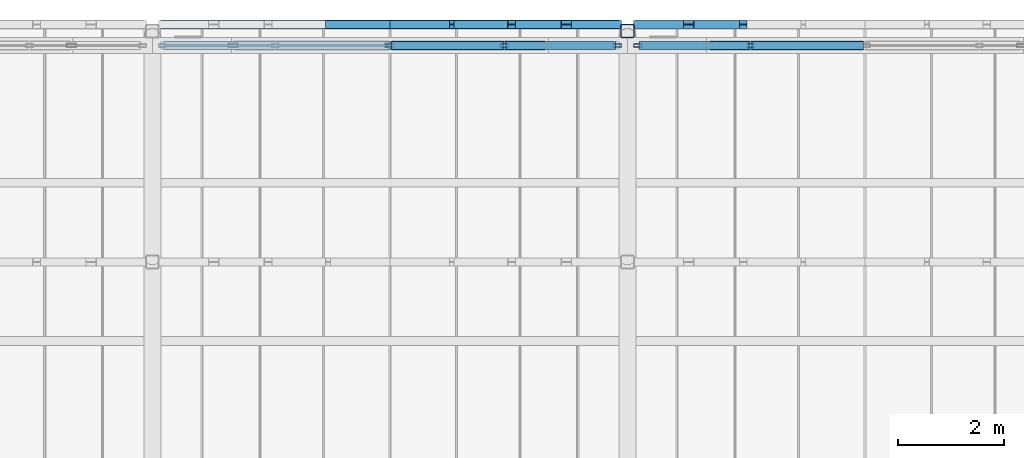
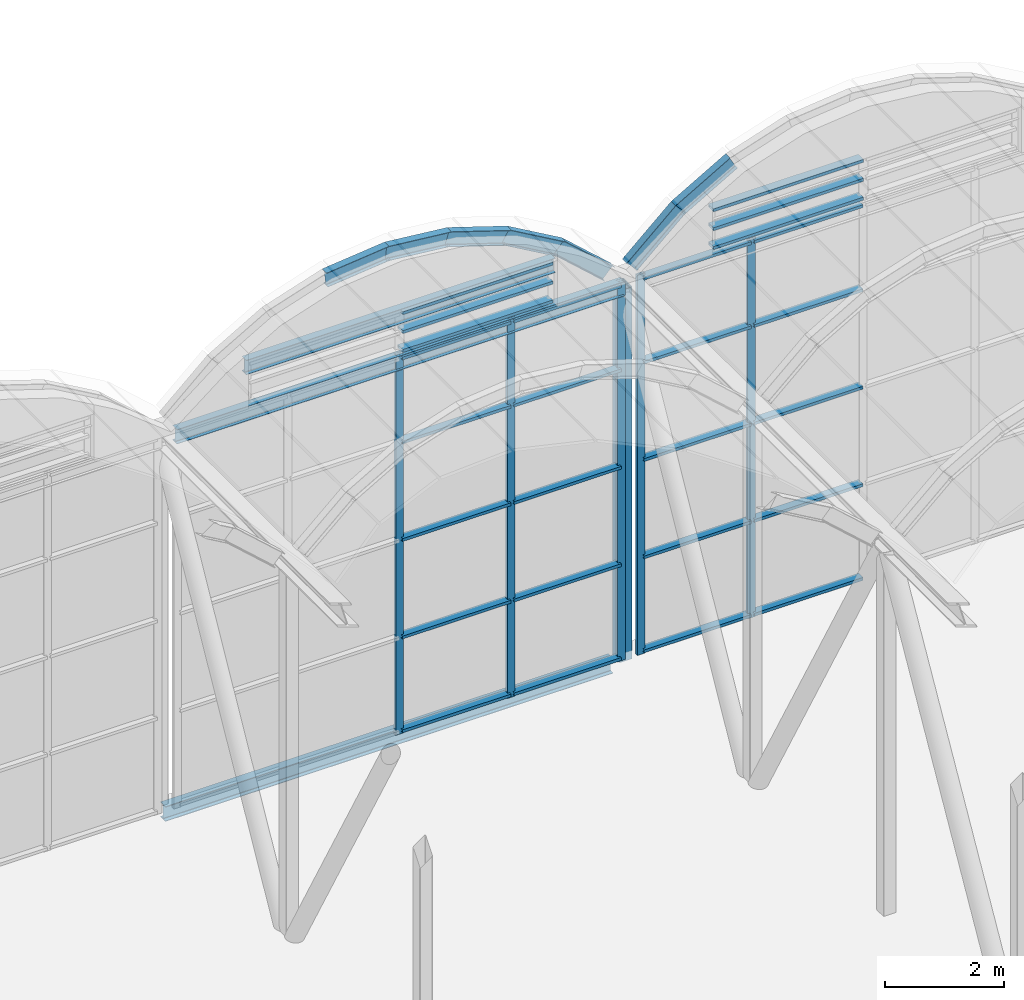
# One storey, part 106 of 144: 39 members, 3 beams, 4 elements without a shape of their own.
"""IFC4 building model written with IfcOpenShell, lengths in metres."""

from ifc_helpers import new_model, si_unit, direction, frame, origin, origin_2d, place, context, subcontext, project, spatial, hollow_rectangle, i_section, extrude, material, layer, layer_set, material_profile, profile_set, type_object, element, aggregate, save


model = new_model("IFC4")

# Units and contexts
model_context = context("Model", 3, precision=1e-05, world=origin(), true_north=direction((0.0, 1.0)))
body_context = subcontext(model_context, "Body", "Model", "MODEL_VIEW")
ifc_project = project(units=[si_unit("LENGTHUNIT", "METRE"), si_unit("AREAUNIT", "SQUARE_METRE"), si_unit("VOLUMEUNIT", "CUBIC_METRE"), si_unit("PLANEANGLEUNIT", "RADIAN"), si_unit("MASSUNIT", "GRAM", prefix="KILO")], contexts=[model_context])

# Site, building, storey
site_placement = place(None, origin())
site = spatial("IfcSite", under=ifc_project, at=site_placement, CompositionType="ELEMENT")
building_placement = place(site_placement, origin())
building = spatial("IfcBuilding", under=site, at=building_placement, Name="Shorebreak Coast Museum", CompositionType="ELEMENT")
storey_placement = place(building_placement, frame((0.0, 0.0, 36.0)))
storey = spatial("IfcBuildingStorey", under=building, at=storey_placement, Name="L06", CompositionType="ELEMENT", Elevation=36.0)

# Curtain wall, members
ifc_material_1 = material(Name="Aluminium", Category="aluminium")
ifc_layer_1 = layer(ifc_material_1, 0.14990234375)
ifc_layer_set_1 = layer_set([ifc_layer_1], Name="Aluminium")
curtain_wall_type_1 = type_object("IfcCurtainWallType", Name="Barrel end glazing", PredefinedType="NOTDEFINED", material=ifc_layer_set_1)
curtain_wall_1_placement = place(storey_placement, origin())
curtain_wall_1 = element("IfcCurtainWall", 1, at=curtain_wall_1_placement, inside=storey, type_object=curtain_wall_type_1, Name="Barrel end glazing L06 3", PredefinedType="NOTDEFINED")
ifc_material_2 = material(Name="Aluminium", Category="aluminium")
ifc_material_profile_1 = material_profile(ifc_material_2, hollow_rectangle(XDim=0.06005859375, YDim=0.14990234375, WallThickness=0.00390625, at=origin_2d()), Name="AL 150x60 RHS")
ifc_profile_set_1 = profile_set([ifc_material_profile_1], Name="Aluminium")
member_type_1 = type_object("IfcMemberType", Name="Barrel mullion 60 x 150", PredefinedType="MULLION", material=ifc_profile_set_1)
member_1_placement = place(storey_placement, frame((76.5, 134.60009765625, 0.0), z_axis=(0.0, 0.0, 1.0), x_axis=(0.0, 1.0, 0.0)))
member_1 = element("IfcMember", 2, at=member_1_placement, type_object=member_type_1, Name="CW7 mullion 3", PredefinedType="MULLION", context=body_context, shape_type="SweptSolid", body=[
    extrude(hollow_rectangle(XDim=0.06005859375, YDim=0.14990234375, WallThickness=0.00390625, at=origin_2d()), origin(), (0.0, 0.0, 1.0), 7.800048828125),
])
member_2_placement = place(storey_placement, frame((78.6689453125, 134.60009765625, 0.0), z_axis=(0.0, 0.0, 1.0), x_axis=(0.0, 1.0, 0.0)))
member_2 = element("IfcMember", 3, at=member_2_placement, type_object=member_type_1, Name="CW7 mullion 4", PredefinedType="MULLION", context=body_context, shape_type="SweptSolid", body=[
    extrude(hollow_rectangle(XDim=0.06005859375, YDim=0.14990234375, WallThickness=0.00390625, at=origin_2d()), origin(), (0.0, 0.0, 1.0), 7.800048828125),
])
member_3_placement = place(storey_placement, frame((80.80810546875, 134.60009765625, 0.0), z_axis=(0.0, 0.0, 1.0), x_axis=(0.0, 1.0, 0.0)))
member_3 = element("IfcMember", 4, at=member_3_placement, type_object=member_type_1, Name="CW7 mullion 5", PredefinedType="MULLION", context=body_context, shape_type="SweptSolid", body=[
    extrude(hollow_rectangle(XDim=0.06005859375, YDim=0.14990234375, WallThickness=0.00390625, at=origin_2d()), origin(), (0.0, 0.0, 1.0), 7.800048828125),
])

curtain_wall_2_placement = place(storey_placement, origin())
curtain_wall_2 = element("IfcCurtainWall", 5, at=curtain_wall_2_placement, inside=storey, type_object=curtain_wall_type_1, Name="Barrel end glazing L06 4", PredefinedType="NOTDEFINED")
member_4_placement = place(storey_placement, frame((81.19189453125, 134.60009765625, 0.0), z_axis=(0.0, 0.0, 1.0), x_axis=(0.0, 1.0, 0.0)))
member_4 = element("IfcMember", 6, at=member_4_placement, type_object=member_type_1, Name="CW7 mullion 1", PredefinedType="MULLION", context=body_context, shape_type="SweptSolid", body=[
    extrude(hollow_rectangle(XDim=0.06005859375, YDim=0.14990234375, WallThickness=0.00390625, at=origin_2d()), origin(), (0.0, 0.0, 1.0), 7.800048828125),
])
member_5_placement = place(storey_placement, frame((83.3310546875, 134.60009765625, 0.0), z_axis=(0.0, 0.0, 1.0), x_axis=(0.0, 1.0, 0.0)))
member_5 = element("IfcMember", 7, at=member_5_placement, type_object=member_type_1, Name="CW7 mullion 2", PredefinedType="MULLION", context=body_context, shape_type="SweptSolid", body=[
    extrude(hollow_rectangle(XDim=0.06005859375, YDim=0.14990234375, WallThickness=0.00390625, at=origin_2d()), origin(), (0.0, 0.0, 1.0), 7.800048828125),
])

# Member
ifc_material_3 = material(Name="Aluminium", Category="aluminium")
ifc_material_profile_2 = material_profile(ifc_material_3, hollow_rectangle(XDim=0.14990234375, YDim=0.06005859375, WallThickness=0.00390625, at=origin_2d()), Name="AL 60x150 RHS")
ifc_profile_set_2 = profile_set([ifc_material_profile_2], Name="Aluminium")
member_type_2 = type_object("IfcMemberType", Name="Barrel transom 150 x 60", PredefinedType="USERDEFINED", material=ifc_profile_set_2)
member_6_placement = place(storey_placement, frame((76.530029296875, 134.60009765625, 0.074951171875), z_axis=(1.0, 0.0, 0.0), x_axis=(0.0, 1.0, 0.0)))
member_6 = element("IfcMember", 8, at=member_6_placement, type_object=member_type_2, Name="CW7 transom 3.1", ObjectType="TRANSOM", PredefinedType="USERDEFINED", context=body_context, shape_type="SweptSolid", body=[
    extrude(hollow_rectangle(XDim=0.14990234375, YDim=0.06005859375, WallThickness=0.00390625, at=origin_2d()), origin(), (0.0, 0.0, 1.0), 2.10888671875),
])

member_7_placement = place(storey_placement, frame((76.530029296875, 134.60009765625, 2.0), z_axis=(1.0, 0.0, 0.0), x_axis=(0.0, 1.0, 0.0)))
member_7 = element("IfcMember", 9, at=member_7_placement, type_object=member_type_2, Name="CW7 transom 3.2", ObjectType="TRANSOM", PredefinedType="USERDEFINED", context=body_context, shape_type="SweptSolid", body=[
    extrude(hollow_rectangle(XDim=0.14990234375, YDim=0.06005859375, WallThickness=0.00390625, at=origin_2d()), origin(), (0.0, 0.0, 1.0), 2.10888671875),
])

member_8_placement = place(storey_placement, frame((76.530029296875, 134.60009765625, 4.0), z_axis=(1.0, 0.0, 0.0), x_axis=(0.0, 1.0, 0.0)))
member_8 = element("IfcMember", 10, at=member_8_placement, type_object=member_type_2, Name="CW7 transom 3.3", ObjectType="TRANSOM", PredefinedType="USERDEFINED", context=body_context, shape_type="SweptSolid", body=[
    extrude(hollow_rectangle(XDim=0.14990234375, YDim=0.06005859375, WallThickness=0.00390625, at=origin_2d()), origin(), (0.0, 0.0, 1.0), 2.10888671875),
])

member_9_placement = place(storey_placement, frame((76.530029296875, 134.60009765625, 6.0), z_axis=(1.0, 0.0, 0.0), x_axis=(0.0, 1.0, 0.0)))
member_9 = element("IfcMember", 11, at=member_9_placement, type_object=member_type_2, Name="CW7 transom 3.4", ObjectType="TRANSOM", PredefinedType="USERDEFINED", context=body_context, shape_type="SweptSolid", body=[
    extrude(hollow_rectangle(XDim=0.14990234375, YDim=0.06005859375, WallThickness=0.00390625, at=origin_2d()), origin(), (0.0, 0.0, 1.0), 2.10888671875),
])

member_10_placement = place(storey_placement, frame((76.530029296875, 134.60009765625, 7.72509765625), z_axis=(1.0, 0.0, 0.0), x_axis=(0.0, 1.0, 0.0)))
member_10 = element("IfcMember", 12, at=member_10_placement, type_object=member_type_2, Name="CW7 transom 3.5", ObjectType="TRANSOM", PredefinedType="USERDEFINED", context=body_context, shape_type="SweptSolid", body=[
    extrude(hollow_rectangle(XDim=0.14990234375, YDim=0.06005859375, WallThickness=0.00390625, at=origin_2d()), origin(), (0.0, 0.0, 1.0), 2.10888671875),
])

member_11_placement = place(storey_placement, frame((78.698974609375, 134.60009765625, 0.074951171875), z_axis=(1.0, 0.0, 0.0), x_axis=(0.0, 1.0, 0.0)))
member_11 = element("IfcMember", 13, at=member_11_placement, type_object=member_type_2, Name="CW7 transom 4.1", ObjectType="TRANSOM", PredefinedType="USERDEFINED", context=body_context, shape_type="SweptSolid", body=[
    extrude(hollow_rectangle(XDim=0.14990234375, YDim=0.06005859375, WallThickness=0.00390625, at=origin_2d()), origin(), (0.0, 0.0, 1.0), 2.0791015625),
])

member_12_placement = place(storey_placement, frame((78.698974609375, 134.60009765625, 2.0), z_axis=(1.0, 0.0, 0.0), x_axis=(0.0, 1.0, 0.0)))
member_12 = element("IfcMember", 14, at=member_12_placement, type_object=member_type_2, Name="CW7 transom 4.2", ObjectType="TRANSOM", PredefinedType="USERDEFINED", context=body_context, shape_type="SweptSolid", body=[
    extrude(hollow_rectangle(XDim=0.14990234375, YDim=0.06005859375, WallThickness=0.00390625, at=origin_2d()), origin(), (0.0, 0.0, 1.0), 2.0791015625),
])

member_13_placement = place(storey_placement, frame((78.698974609375, 134.60009765625, 4.0), z_axis=(1.0, 0.0, 0.0), x_axis=(0.0, 1.0, 0.0)))
member_13 = element("IfcMember", 15, at=member_13_placement, type_object=member_type_2, Name="CW7 transom 4.3", ObjectType="TRANSOM", PredefinedType="USERDEFINED", context=body_context, shape_type="SweptSolid", body=[
    extrude(hollow_rectangle(XDim=0.14990234375, YDim=0.06005859375, WallThickness=0.00390625, at=origin_2d()), origin(), (0.0, 0.0, 1.0), 2.0791015625),
])

member_14_placement = place(storey_placement, frame((78.698974609375, 134.60009765625, 6.0), z_axis=(1.0, 0.0, 0.0), x_axis=(0.0, 1.0, 0.0)))
member_14 = element("IfcMember", 16, at=member_14_placement, type_object=member_type_2, Name="CW7 transom 4.4", ObjectType="TRANSOM", PredefinedType="USERDEFINED", context=body_context, shape_type="SweptSolid", body=[
    extrude(hollow_rectangle(XDim=0.14990234375, YDim=0.06005859375, WallThickness=0.00390625, at=origin_2d()), origin(), (0.0, 0.0, 1.0), 2.0791015625),
])

member_15_placement = place(storey_placement, frame((78.698974609375, 134.60009765625, 7.72509765625), z_axis=(1.0, 0.0, 0.0), x_axis=(0.0, 1.0, 0.0)))
member_15 = element("IfcMember", 17, at=member_15_placement, type_object=member_type_2, Name="CW7 transom 4.5", ObjectType="TRANSOM", PredefinedType="USERDEFINED", context=body_context, shape_type="SweptSolid", body=[
    extrude(hollow_rectangle(XDim=0.14990234375, YDim=0.06005859375, WallThickness=0.00390625, at=origin_2d()), origin(), (0.0, 0.0, 1.0), 2.0791015625),
])

aggregate(curtain_wall_1, [member_1, member_2, member_3, member_6, member_7, member_8, member_9, member_10, member_11, member_12, member_13, member_14, member_15])

member_16_placement = place(storey_placement, frame((81.221923828125, 134.60009765625, 0.074951171875), z_axis=(1.0, 0.0, 0.0), x_axis=(0.0, 1.0, 0.0)))
member_16 = element("IfcMember", 18, at=member_16_placement, type_object=member_type_2, Name="CW7 transom 1.1", ObjectType="TRANSOM", PredefinedType="USERDEFINED", context=body_context, shape_type="SweptSolid", body=[
    extrude(hollow_rectangle(XDim=0.14990234375, YDim=0.06005859375, WallThickness=0.00390625, at=origin_2d()), origin(), (0.0, 0.0, 1.0), 2.0791015625),
])

member_17_placement = place(storey_placement, frame((81.221923828125, 134.60009765625, 2.0), z_axis=(1.0, 0.0, 0.0), x_axis=(0.0, 1.0, 0.0)))
member_17 = element("IfcMember", 19, at=member_17_placement, type_object=member_type_2, Name="CW7 transom 1.2", ObjectType="TRANSOM", PredefinedType="USERDEFINED", context=body_context, shape_type="SweptSolid", body=[
    extrude(hollow_rectangle(XDim=0.14990234375, YDim=0.06005859375, WallThickness=0.00390625, at=origin_2d()), origin(), (0.0, 0.0, 1.0), 2.0791015625),
])

member_18_placement = place(storey_placement, frame((81.221923828125, 134.60009765625, 4.0), z_axis=(1.0, 0.0, 0.0), x_axis=(0.0, 1.0, 0.0)))
member_18 = element("IfcMember", 20, at=member_18_placement, type_object=member_type_2, Name="CW7 transom 1.3", ObjectType="TRANSOM", PredefinedType="USERDEFINED", context=body_context, shape_type="SweptSolid", body=[
    extrude(hollow_rectangle(XDim=0.14990234375, YDim=0.06005859375, WallThickness=0.00390625, at=origin_2d()), origin(), (0.0, 0.0, 1.0), 2.0791015625),
])

member_19_placement = place(storey_placement, frame((81.221923828125, 134.60009765625, 6.0), z_axis=(1.0, 0.0, 0.0), x_axis=(0.0, 1.0, 0.0)))
member_19 = element("IfcMember", 21, at=member_19_placement, type_object=member_type_2, Name="CW7 transom 1.4", ObjectType="TRANSOM", PredefinedType="USERDEFINED", context=body_context, shape_type="SweptSolid", body=[
    extrude(hollow_rectangle(XDim=0.14990234375, YDim=0.06005859375, WallThickness=0.00390625, at=origin_2d()), origin(), (0.0, 0.0, 1.0), 2.0791015625),
])

member_20_placement = place(storey_placement, frame((81.221923828125, 134.60009765625, 7.72509765625), z_axis=(1.0, 0.0, 0.0), x_axis=(0.0, 1.0, 0.0)))
member_20 = element("IfcMember", 22, at=member_20_placement, type_object=member_type_2, Name="CW7 transom 1.5", ObjectType="TRANSOM", PredefinedType="USERDEFINED", context=body_context, shape_type="SweptSolid", body=[
    extrude(hollow_rectangle(XDim=0.14990234375, YDim=0.06005859375, WallThickness=0.00390625, at=origin_2d()), origin(), (0.0, 0.0, 1.0), 2.0791015625),
])

member_21_placement = place(storey_placement, frame((83.361083984375, 134.60009765625, 0.074951171875), z_axis=(1.0, 0.0, 0.0), x_axis=(0.0, 1.0, 0.0)))
member_21 = element("IfcMember", 23, at=member_21_placement, type_object=member_type_2, Name="CW7 transom 2.1", ObjectType="TRANSOM", PredefinedType="USERDEFINED", context=body_context, shape_type="SweptSolid", body=[
    extrude(hollow_rectangle(XDim=0.14990234375, YDim=0.06005859375, WallThickness=0.00390625, at=origin_2d()), origin(), (0.0, 0.0, 1.0), 2.10888671875),
])

member_22_placement = place(storey_placement, frame((83.361083984375, 134.60009765625, 2.0), z_axis=(1.0, 0.0, 0.0), x_axis=(0.0, 1.0, 0.0)))
member_22 = element("IfcMember", 24, at=member_22_placement, type_object=member_type_2, Name="CW7 transom 2.2", ObjectType="TRANSOM", PredefinedType="USERDEFINED", context=body_context, shape_type="SweptSolid", body=[
    extrude(hollow_rectangle(XDim=0.14990234375, YDim=0.06005859375, WallThickness=0.00390625, at=origin_2d()), origin(), (0.0, 0.0, 1.0), 2.10888671875),
])

member_23_placement = place(storey_placement, frame((83.361083984375, 134.60009765625, 4.0), z_axis=(1.0, 0.0, 0.0), x_axis=(0.0, 1.0, 0.0)))
member_23 = element("IfcMember", 25, at=member_23_placement, type_object=member_type_2, Name="CW7 transom 2.3", ObjectType="TRANSOM", PredefinedType="USERDEFINED", context=body_context, shape_type="SweptSolid", body=[
    extrude(hollow_rectangle(XDim=0.14990234375, YDim=0.06005859375, WallThickness=0.00390625, at=origin_2d()), origin(), (0.0, 0.0, 1.0), 2.10888671875),
])

member_24_placement = place(storey_placement, frame((83.361083984375, 134.60009765625, 6.0), z_axis=(1.0, 0.0, 0.0), x_axis=(0.0, 1.0, 0.0)))
member_24 = element("IfcMember", 26, at=member_24_placement, type_object=member_type_2, Name="CW7 transom 2.4", ObjectType="TRANSOM", PredefinedType="USERDEFINED", context=body_context, shape_type="SweptSolid", body=[
    extrude(hollow_rectangle(XDim=0.14990234375, YDim=0.06005859375, WallThickness=0.00390625, at=origin_2d()), origin(), (0.0, 0.0, 1.0), 2.10888671875),
])

member_25_placement = place(storey_placement, frame((83.361083984375, 134.60009765625, 7.72509765625), z_axis=(1.0, 0.0, 0.0), x_axis=(0.0, 1.0, 0.0)))
member_25 = element("IfcMember", 27, at=member_25_placement, type_object=member_type_2, Name="CW7 transom 2.5", ObjectType="TRANSOM", PredefinedType="USERDEFINED", context=body_context, shape_type="SweptSolid", body=[
    extrude(hollow_rectangle(XDim=0.14990234375, YDim=0.06005859375, WallThickness=0.00390625, at=origin_2d()), origin(), (0.0, 0.0, 1.0), 2.10888671875),
])

aggregate(curtain_wall_2, [member_4, member_5, member_16, member_17, member_18, member_19, member_20, member_21, member_22, member_23, member_24, member_25])

# Beam
ifc_material_4 = material(Name="Steel Grade 300", Category="steel")
ifc_material_profile_3 = material_profile(ifc_material_4, i_section(OverallWidth=0.166015625, OverallDepth=0.30712890625, WebThickness=0.006591796875, FlangeThickness=0.01171875, FilletRadius=0.011474609375, at=origin_2d()), Name="310UB46.2")
ifc_profile_set_3 = profile_set([ifc_material_profile_3], Name="Steel Grade 300")
beam_type_1 = type_object("IfcBeamType", Name="Floor girder east-west 310UB46.2", PredefinedType="BEAM", material=ifc_profile_set_3)
beam_1_placement = place(storey_placement, frame((72.155517578125, 135.0, -0.32861328125), z_axis=(1.0, 0.0, 0.0), x_axis=(0.0, 1.0, 0.0)))
element("IfcBeam", 28, at=beam_1_placement, inside=storey, type_object=beam_type_1, Name="Floor girder east-west L06 9S", PredefinedType="BEAM", context=body_context, shape_type="SweptSolid", body=[
    extrude(i_section(OverallWidth=0.166015625, OverallDepth=0.30712890625, WebThickness=0.006591796875, FlangeThickness=0.01171875, FilletRadius=0.011474609375, at=origin_2d()), origin(), (0.0, 0.0, 1.0), 8.68896484375),
])

# Curtain wall, members
ifc_material_5 = material(Name="Aluminium", Category="aluminium")
ifc_layer_2 = layer(ifc_material_5, 0.175048828125)
ifc_layer_set_2 = layer_set([ifc_layer_2], Name="Aluminium")
curtain_wall_type_2 = type_object("IfcCurtainWallType", Name="Gable curtain wall", PredefinedType="NOTDEFINED", material=ifc_layer_set_2)
curtain_wall_3_placement = place(storey_placement, origin())
curtain_wall_3 = element("IfcCurtainWall", 29, at=curtain_wall_3_placement, inside=storey, type_object=curtain_wall_type_2, Name="Vault arch glazing V3", PredefinedType="NOTDEFINED")
ifc_material_6 = material(Name="Aluminium", Category="aluminium")
ifc_material_profile_4 = material_profile(ifc_material_6, hollow_rectangle(XDim=0.175048828125, YDim=0.06005859375, WallThickness=0.00390625, at=origin_2d()), Name="AL 60x175 RHS")
ifc_profile_set_4 = profile_set([ifc_material_profile_4], Name="Aluminium")
member_type_3 = type_object("IfcMemberType", Name="Gable transom 175 x 60", PredefinedType="USERDEFINED", material=ifc_profile_set_4)
member_26_placement = place(storey_placement, frame((76.530029296875, 134.60009765625, 7.887451171875), z_axis=(1.0, 0.0, 0.0), x_axis=(0.0, 1.0, 0.0)))
member_26 = element("IfcMember", 30, at=member_26_placement, type_object=member_type_3, Name="CW9 transom 2.1", ObjectType="TRANSOM", PredefinedType="USERDEFINED", context=body_context, shape_type="SweptSolid", body=[
    extrude(hollow_rectangle(XDim=0.175048828125, YDim=0.06005859375, WallThickness=0.00390625, at=origin_2d()), origin(), (0.0, 0.0, 1.0), 2.909912109375),
])
member_27_placement = place(storey_placement, frame((76.530029296875, 134.60009765625, 8.27490234375), z_axis=(1.0, 0.0, 0.0), x_axis=(0.0, 1.0, 0.0)))
member_27 = element("IfcMember", 31, at=member_27_placement, type_object=member_type_3, Name="CW9 transom 2.2", ObjectType="TRANSOM", PredefinedType="USERDEFINED", context=body_context, shape_type="SweptSolid", body=[
    extrude(hollow_rectangle(XDim=0.175048828125, YDim=0.06005859375, WallThickness=0.00390625, at=origin_2d()), origin(), (0.0, 0.0, 1.0), 2.909912109375),
])
member_28_placement = place(storey_placement, frame((76.530029296875, 134.60009765625, 8.66259765625), z_axis=(1.0, 0.0, 0.0), x_axis=(0.0, 1.0, 0.0)))
member_28 = element("IfcMember", 32, at=member_28_placement, type_object=member_type_3, Name="CW9 transom 2.3", ObjectType="TRANSOM", PredefinedType="USERDEFINED", context=body_context, shape_type="SweptSolid", body=[
    extrude(hollow_rectangle(XDim=0.175048828125, YDim=0.06005859375, WallThickness=0.00390625, at=origin_2d()), origin(), (0.0, 0.0, 1.0), 2.909912109375),
])
aggregate(curtain_wall_3, [member_26, member_27, member_28])

curtain_wall_4_placement = place(storey_placement, origin())
curtain_wall_4 = element("IfcCurtainWall", 33, at=curtain_wall_4_placement, inside=storey, type_object=curtain_wall_type_2, Name="Vault arch glazing V4", PredefinedType="NOTDEFINED")
member_29_placement = place(storey_placement, frame((82.56005859375, 134.60009765625, 7.887451171875), z_axis=(1.0, 0.0, 0.0), x_axis=(0.0, 1.0, 0.0)))
member_29 = element("IfcMember", 34, at=member_29_placement, type_object=member_type_3, Name="CW9 transom 1.1", ObjectType="TRANSOM", PredefinedType="USERDEFINED", context=body_context, shape_type="SweptSolid", body=[
    extrude(hollow_rectangle(XDim=0.175048828125, YDim=0.06005859375, WallThickness=0.00390625, at=origin_2d()), origin(), (0.0, 0.0, 1.0), 2.909912109375),
])
member_30_placement = place(storey_placement, frame((82.56005859375, 134.60009765625, 8.27490234375), z_axis=(1.0, 0.0, 0.0), x_axis=(0.0, 1.0, 0.0)))
member_30 = element("IfcMember", 35, at=member_30_placement, type_object=member_type_3, Name="CW9 transom 1.2", ObjectType="TRANSOM", PredefinedType="USERDEFINED", context=body_context, shape_type="SweptSolid", body=[
    extrude(hollow_rectangle(XDim=0.175048828125, YDim=0.06005859375, WallThickness=0.00390625, at=origin_2d()), origin(), (0.0, 0.0, 1.0), 2.909912109375),
])
member_31_placement = place(storey_placement, frame((82.56005859375, 134.60009765625, 8.66259765625), z_axis=(1.0, 0.0, 0.0), x_axis=(0.0, 1.0, 0.0)))
member_31 = element("IfcMember", 36, at=member_31_placement, type_object=member_type_3, Name="CW9 transom 1.3", ObjectType="TRANSOM", PredefinedType="USERDEFINED", context=body_context, shape_type="SweptSolid", body=[
    extrude(hollow_rectangle(XDim=0.175048828125, YDim=0.06005859375, WallThickness=0.00390625, at=origin_2d()), origin(), (0.0, 0.0, 1.0), 2.909912109375),
])
aggregate(curtain_wall_4, [member_29, member_30, member_31])

# Members
ifc_material_7 = material(Name="Steel Grade C450L0", Category="steel")
ifc_material_profile_5 = material_profile(ifc_material_7, hollow_rectangle(XDim=0.25, YDim=0.25, WallThickness=0.009033203125, InnerFilletRadius=0.013427734375, OuterFilletRadius=0.0224609375, at=origin_2d()), Name="250x250x9.0 SHS")
ifc_profile_set_5 = profile_set([ifc_material_profile_5], Name="Steel Grade C450L0")
member_type_4 = type_object("IfcMemberType", Name="Transfer truss strut 250x250x9.0 SHS", PredefinedType="STRUT", material=ifc_profile_set_5)
member_32_placement = place(storey_placement, frame((81.0, 134.875, -0.175048828125), z_axis=(0.0, 0.0, 1.0), x_axis=(1.0, 0.0, 0.0)))
element("IfcMember", 37, at=member_32_placement, inside=storey, type_object=member_type_4, Name="Transfer truss TR4 strut V14", PredefinedType="STRUT", context=body_context, shape_type="SweptSolid", body=[
    extrude(hollow_rectangle(XDim=0.25, YDim=0.25, WallThickness=0.009033203125, InnerFilletRadius=0.013427734375, OuterFilletRadius=0.0224609375, at=origin_2d()), origin(), (0.0, 0.0, 1.0), 7.6328125),
])
ifc_material_8 = material(Name="Steel Grade 300", Category="steel")
ifc_material_profile_6 = material_profile(ifc_material_8, i_section(OverallWidth=0.14892578125, OverallDepth=0.298095703125, WebThickness=0.005615234375, FlangeThickness=0.008056640625, FilletRadius=0.012939453125, at=origin_2d()), Name="310UB32.0")
ifc_profile_set_6 = profile_set([ifc_material_profile_6], Name="Steel Grade 300")
member_type_5 = type_object("IfcMemberType", Name="Vault arch rib 310UB32.0", PredefinedType="RAFTER", material=ifc_profile_set_6)
for number, where, z_axis, x_axis, name in (
    (38, (75.298828125, 135.0, 9.52294921875), (0.994539296345, 0.0, 0.104362771266), (0.0, 1.0, 0.0), "Vault arch rib V3 line 10 facet 4"),
    (39, (76.484375, 135.0, 9.650634765625), (0.994539296345, 0.0, -0.104362771266), (0.0, 1.0, 0.0), "Vault arch rib V3 line 10 facet 5"),
    (40, (77.6708984375, 135.0, 9.529541015625), (0.951225984169, 0.0, -0.308494938436), (0.0, 1.0, 0.0), "Vault arch rib V3 line 10 facet 6"),
    (41, (78.80615234375, 135.0, 9.16455078125), (0.866444596228, 0.0, -0.499273233478), (0.0, 1.0, 0.0), "Vault arch rib V3 line 10 facet 7"),
):
    element("IfcMember", number, at=place(storey_placement, frame(where, z_axis=z_axis, x_axis=x_axis)), inside=storey, type_object=member_type_5, Name=name, PredefinedType="RAFTER", context=body_context, shape_type="SweptSolid", body=[
        extrude(i_section(OverallWidth=0.14892578125, OverallDepth=0.298095703125, WebThickness=0.005615234375, FlangeThickness=0.008056640625, FilletRadius=0.012939453125, at=origin_2d()), origin(), (0.0, 0.0, 1.0), 1.223388671875),
    ])
for number, where, z_axis, x_axis, name in (
    (42, (79.841064453125, 135.0, 8.572021484375), (0.743894909598, 0.0, -0.668296613394), (0.0, 1.0, 0.0), "Vault arch rib V3 line 10 facet 8"),
    (43, (81.21240234375, 135.0, 7.7216796875), (0.743894909598, 0.0, 0.668296613394), (0.0, 1.0, 0.0), "Vault arch rib V4 line 10 facet 1"),
):
    element("IfcMember", number, at=place(storey_placement, frame(where, z_axis=z_axis, x_axis=x_axis)), inside=storey, type_object=member_type_5, Name=name, PredefinedType="RAFTER", context=body_context, shape_type="SweptSolid", body=[
        extrude(i_section(OverallWidth=0.14892578125, OverallDepth=0.298095703125, WebThickness=0.005615234375, FlangeThickness=0.008056640625, FilletRadius=0.012939453125, at=origin_2d()), origin(), (0.0, 0.0, 1.0), 1.2724609375),
    ])
member_33_placement = place(storey_placement, frame((82.1337890625, 135.0, 8.5537109375), z_axis=(0.866444596228, 0.0, 0.499273233478), x_axis=(0.0, 1.0, 0.0)))
element("IfcMember", 44, at=member_33_placement, inside=storey, type_object=member_type_5, Name="Vault arch rib V4 line 10 facet 2", PredefinedType="RAFTER", context=body_context, shape_type="SweptSolid", body=[
    extrude(i_section(OverallWidth=0.14892578125, OverallDepth=0.298095703125, WebThickness=0.005615234375, FlangeThickness=0.008056640625, FilletRadius=0.012939453125, at=origin_2d()), origin(), (0.0, 0.0, 1.0), 1.223388671875),
])

# Beams
ifc_material_9 = material(Name="Steel Grade 300", Category="steel")
ifc_material_profile_7 = material_profile(ifc_material_9, i_section(OverallWidth=0.14892578125, OverallDepth=0.298095703125, WebThickness=0.005615234375, FlangeThickness=0.008056640625, FilletRadius=0.012939453125, at=origin_2d()), Name="310UB32.0")
ifc_profile_set_7 = profile_set([ifc_material_profile_7], Name="Steel Grade 300")
beam_type_2 = type_object("IfcBeamType", Name="Vault end edge beam 310UB32.0", PredefinedType="BEAM", material=ifc_profile_set_7)
beam_2_placement = place(storey_placement, frame((72.155517578125, 134.60009765625, 7.65087890625), z_axis=(1.0, 0.0, 0.0), x_axis=(0.0, 1.0, 0.0)))
element("IfcBeam", 45, at=beam_2_placement, inside=storey, type_object=beam_type_2, Name="Vault end edge beam V3", PredefinedType="BEAM", context=body_context, shape_type="SweptSolid", body=[
    extrude(i_section(OverallWidth=0.14892578125, OverallDepth=0.298095703125, WebThickness=0.005615234375, FlangeThickness=0.008056640625, FilletRadius=0.012939453125, at=origin_2d()), origin(), (0.0, 0.0, 1.0), 8.68896484375),
])
ifc_material_10 = material(Name="Steel Grade 300", Category="steel")
ifc_material_profile_8 = material_profile(ifc_material_10, i_section(OverallWidth=0.14892578125, OverallDepth=0.298095703125, WebThickness=0.005615234375, FlangeThickness=0.008056640625, FilletRadius=0.012939453125, at=origin_2d()), Name="310UB32.0")
ifc_profile_set_8 = profile_set([ifc_material_profile_8], Name="Steel Grade 300")
beam_type_3 = type_object("IfcBeamType", Name="Vault end lintel 310UB32.0", PredefinedType="BEAM", material=ifc_profile_set_8)
beam_3_placement = place(storey_placement, frame((73.5, 134.60009765625, 8.60107421875), z_axis=(1.0, 0.0, 0.0), x_axis=(0.0, 1.0, 0.0)))
element("IfcBeam", 46, at=beam_3_placement, inside=storey, type_object=beam_type_3, Name="Vault end lintel V3", PredefinedType="BEAM", context=body_context, shape_type="SweptSolid", body=[
    extrude(i_section(OverallWidth=0.14892578125, OverallDepth=0.298095703125, WebThickness=0.005615234375, FlangeThickness=0.008056640625, FilletRadius=0.012939453125, at=origin_2d()), origin(), (0.0, 0.0, 1.0), 6.0),
])

save(model, "model.ifc")
